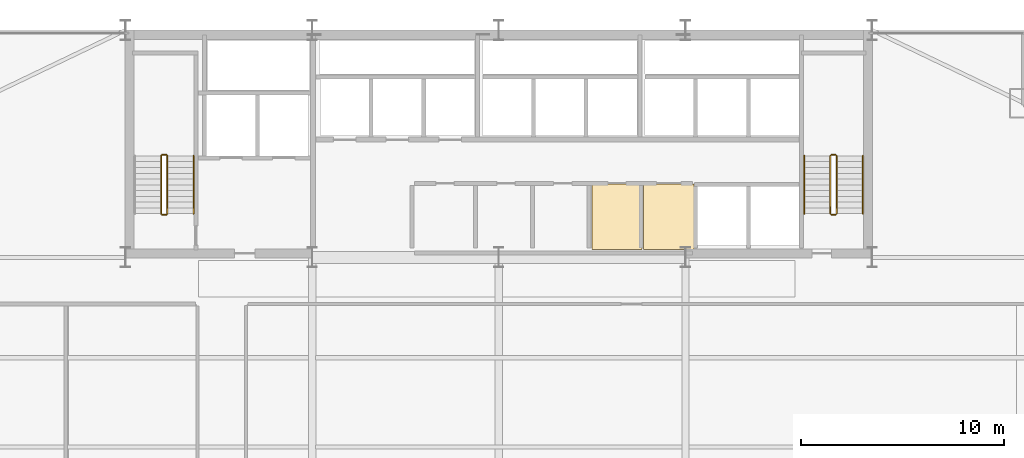
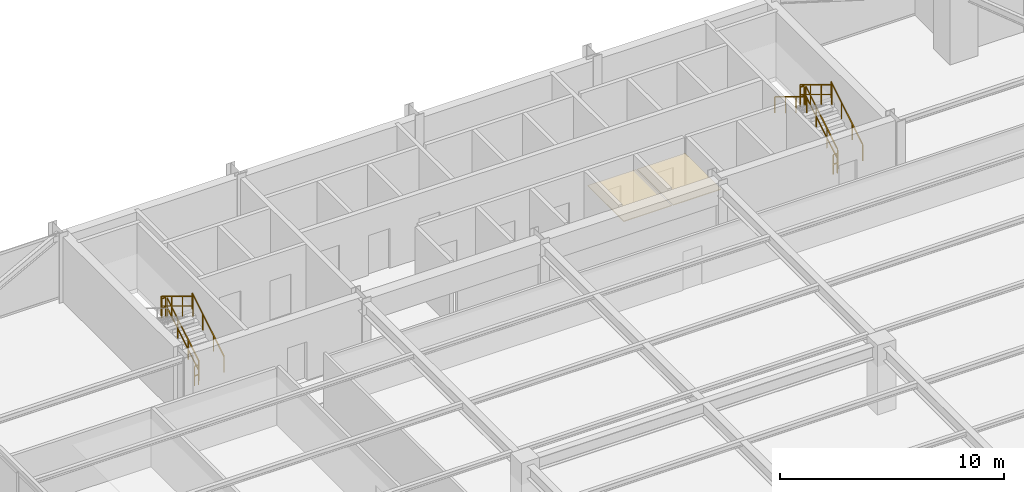
# One storey, part 32 of 32: 11 railings, 2 coverings.
"""IFC4 building model written with IfcOpenShell, lengths in metres."""

from ifc_helpers import new_model, si_unit, direction, frame, origin, origin_2d, place, context, subcontext, project, spatial, polyline, rectangle, outline, extrude, material, layer, layer_set, type_object, element, save


model = new_model("IFC4")

# Units and contexts
model_context = context("Model", 3, precision=1e-05, world=origin(), true_north=direction((0.0, 1.0)))
body_context = subcontext(model_context, "Body", "Model", "MODEL_VIEW")
ifc_project = project(units=[si_unit("LENGTHUNIT", "METRE"), si_unit("AREAUNIT", "SQUARE_METRE"), si_unit("VOLUMEUNIT", "CUBIC_METRE"), si_unit("PLANEANGLEUNIT", "RADIAN"), si_unit("MASSUNIT", "GRAM", prefix="KILO")], contexts=[model_context])

# Site, building, storey
site_placement = place(None, origin())
site = spatial("IfcSite", under=ifc_project, at=site_placement, CompositionType="ELEMENT")
building_placement = place(site_placement, origin())
building = spatial("IfcBuilding", under=site, at=building_placement, Name="Varnel Quay Broadcast Tower", CompositionType="ELEMENT")
storey_placement = place(building_placement, frame((0.0, 0.0, 90.800048828125)))
storey = spatial("IfcBuildingStorey", under=building, at=storey_placement, Name="L21", CompositionType="ELEMENT", Elevation=90.800048828125)

# Coverings
ifc_material_1 = material(Name="Micro-Perforated Acoustic Ceiling Tile")
ifc_layer = layer(ifc_material_1, 0.0400390625, Name="Micro-Perforated Acoustic Ceiling Tile")
ifc_layer_set = layer_set([ifc_layer], Name="Micro-Perforated Acoustic Ceiling Tile")
covering_type = type_object("IfcCoveringType", Name="Cov_AcousticCeiling", PredefinedType="CEILING", material=ifc_layer_set)
covering_1_placement = place(storey_placement, frame((0.0, 0.0, 2.579833984375)))
element("IfcCovering", 1, at=covering_1_placement, inside=storey, type_object=covering_type, Name="L21 Cleaners' & Linen Store Acoustic Ceiling", PredefinedType="CEILING", context=body_context, shape_type="SweptSolid", body=[
    extrude(outline(polyline([(38.5849609375, 35.985107421875), (41.06494140625, 35.985107421875), (41.06494140625, 39.215087890625), (38.5849609375, 39.215087890625), (38.5849609375, 35.985107421875)])), origin(), (0.0, 0.0, 1.0), 0.0400390625),
])
covering_2_placement = place(storey_placement, frame((0.0, 0.0, 2.579833984375)))
element("IfcCovering", 2, at=covering_2_placement, inside=storey, type_object=covering_type, Name="L21 Telecom IDF Closet Acoustic Ceiling", PredefinedType="CEILING", context=body_context, shape_type="SweptSolid", body=[
    extrude(outline(polyline([(41.135009765625, 35.985107421875), (43.614990234375, 35.985107421875), (43.614990234375, 39.215087890625), (41.135009765625, 39.215087890625), (41.135009765625, 35.985107421875)])), origin(), (0.0, 0.0, 1.0), 0.0400390625),
])

# Railings
ifc_material_2 = material(Name="Painted Steel Guard and Handrail CSA G40.21 350W", Category="steel")
railing_type_1 = type_object("IfcRailingType", Name="Rail_StairGuard1100", PredefinedType="GUARDRAIL", material=ifc_material_2)
railing_1_placement = place(storey_placement, frame((17.64990234375, 37.75, 0.172607421875)))
element("IfcRailing", 3, at=railing_1_placement, inside=storey, type_object=railing_type_1, Name="L21 ST-01 stair guard 1", PredefinedType="GUARDRAIL", context=body_context, shape_type="SweptSolid", body=[
    extrude(rectangle(XDim=0.048095703125, YDim=0.048095703125, at=origin_2d()), frame((0.0, 0.0, 1.076171875), z_axis=(0.0, 0.855202751398, 0.518293598264), x_axis=(-1.0, 0.0, 0.0)), (0.0, 0.0, 1.0), 3.332763671875),
    extrude(rectangle(XDim=0.048095703125, YDim=0.048095703125, at=origin_2d()), frame((0.0, 0.0, 0.550048828125), z_axis=(0.0, 0.855202751398, 0.518293598264), x_axis=(-1.0, 0.0, 0.0)), (0.0, 0.0, 1.0), 3.332763671875),
    extrude(rectangle(XDim=0.0419921875, YDim=0.0419921875, at=origin_2d()), origin(), (0.0, 0.0, 1.0), 1.052001953125),
    extrude(rectangle(XDim=0.0419921875, YDim=0.0419921875, at=origin_2d()), frame((0.0, 0.949951171875, 0.57568359375)), (0.0, 0.0, 1.0), 1.052001953125),
    extrude(rectangle(XDim=0.0419921875, YDim=0.0419921875, at=origin_2d()), frame((0.0, 1.900146484375, 1.151611328125)), (0.0, 0.0, 1.0), 1.052001953125),
    extrude(rectangle(XDim=0.0419921875, YDim=0.0419921875, at=origin_2d()), frame((0.0, 2.85009765625, 1.727294921875)), (0.0, 0.0, 1.0), 1.052001953125),
])
railing_2_placement = place(storey_placement, frame((17.60009765625, 40.64990234375, 1.89990234375)))
element("IfcRailing", 4, at=railing_2_placement, inside=storey, type_object=railing_type_1, Name="L21 ST-01 stair guard 2", PredefinedType="GUARDRAIL", context=body_context, shape_type="SweptSolid", body=[
    extrude(rectangle(XDim=0.048095703125, YDim=0.048095703125, at=origin_2d()), frame((0.0, 0.0, 1.076171875), z_axis=(-1.0, 0.0, 0.0), x_axis=(0.0, -1.0, 0.0)), (0.0, 0.0, 1.0), 0.2001953125),
    extrude(rectangle(XDim=0.048095703125, YDim=0.048095703125, at=origin_2d()), frame((0.0, 0.0, 0.550048828125), z_axis=(-1.0, 0.0, 0.0), x_axis=(0.0, -1.0, 0.0)), (0.0, 0.0, 1.0), 0.2001953125),
    extrude(rectangle(XDim=0.0419921875, YDim=0.0419921875, at=origin_2d()), origin(), (0.0, 0.0, 1.0), 1.052001953125),
    extrude(rectangle(XDim=0.0419921875, YDim=0.0419921875, at=origin_2d()), frame((-0.2001953125, 0.0, 0.0)), (0.0, 0.0, 1.0), 1.052001953125),
])
railing_3_placement = place(storey_placement, frame((17.35009765625, 40.60009765625, 2.07275390625)))
element("IfcRailing", 5, at=railing_3_placement, inside=storey, type_object=railing_type_1, Name="L21 ST-01 stair guard 3", PredefinedType="GUARDRAIL", context=body_context, shape_type="SweptSolid", body=[
    extrude(rectangle(XDim=0.048095703125, YDim=0.048095703125, at=origin_2d()), frame((0.0, 0.0, 1.076171875), z_axis=(0.0, -0.855202751398, 0.518293598264), x_axis=(1.0, 0.0, 0.0)), (0.0, 0.0, 1.0), 3.332763671875),
    extrude(rectangle(XDim=0.048095703125, YDim=0.048095703125, at=origin_2d()), frame((0.0, 0.0, 0.550048828125), z_axis=(0.0, -0.855202751398, 0.518293598264), x_axis=(1.0, 0.0, 0.0)), (0.0, 0.0, 1.0), 3.332763671875),
    extrude(rectangle(XDim=0.0419921875, YDim=0.0419921875, at=origin_2d()), origin(), (0.0, 0.0, 1.0), 1.052001953125),
    extrude(rectangle(XDim=0.0419921875, YDim=0.0419921875, at=origin_2d()), frame((0.0, -0.949951171875, 0.57568359375)), (0.0, 0.0, 1.0), 1.052001953125),
    extrude(rectangle(XDim=0.0419921875, YDim=0.0419921875, at=origin_2d()), frame((0.0, -1.900146484375, 1.151611328125)), (0.0, 0.0, 1.0), 1.052001953125),
    extrude(rectangle(XDim=0.0419921875, YDim=0.0419921875, at=origin_2d()), frame((0.0, -2.85009765625, 1.727294921875)), (0.0, 0.0, 1.0), 1.052001953125),
])
railing_4_placement = place(storey_placement, frame((17.60009765625, 37.699951171875, 0.0)))
element("IfcRailing", 6, at=railing_4_placement, inside=storey, type_object=railing_type_1, Name="L21 ST-01 stair guard 4", PredefinedType="GUARDRAIL", context=body_context, shape_type="SweptSolid", body=[
    extrude(rectangle(XDim=0.048095703125, YDim=0.048095703125, at=origin_2d()), frame((0.0, 0.0, 1.076171875), z_axis=(-1.0, 0.0, 0.0), x_axis=(0.0, -1.0, 0.0)), (0.0, 0.0, 1.0), 0.2001953125),
    extrude(rectangle(XDim=0.048095703125, YDim=0.048095703125, at=origin_2d()), frame((0.0, 0.0, 0.550048828125), z_axis=(-1.0, 0.0, 0.0), x_axis=(0.0, -1.0, 0.0)), (0.0, 0.0, 1.0), 0.2001953125),
    extrude(rectangle(XDim=0.0419921875, YDim=0.0419921875, at=origin_2d()), origin(), (0.0, 0.0, 1.0), 1.052001953125),
    extrude(rectangle(XDim=0.0419921875, YDim=0.0419921875, at=origin_2d()), frame((-0.2001953125, 0.0, 0.0)), (0.0, 0.0, 1.0), 1.052001953125),
])
railing_5_placement = place(storey_placement, frame((50.64990234375, 37.75, 0.172607421875)))
element("IfcRailing", 7, at=railing_5_placement, inside=storey, type_object=railing_type_1, Name="L21 ST-02 stair guard 1", PredefinedType="GUARDRAIL", context=body_context, shape_type="SweptSolid", body=[
    extrude(rectangle(XDim=0.048095703125, YDim=0.048095703125, at=origin_2d()), frame((0.0, 0.0, 1.076171875), z_axis=(0.0, 0.855202751398, 0.518293598264), x_axis=(-1.0, 0.0, 0.0)), (0.0, 0.0, 1.0), 3.332763671875),
    extrude(rectangle(XDim=0.048095703125, YDim=0.048095703125, at=origin_2d()), frame((0.0, 0.0, 0.550048828125), z_axis=(0.0, 0.855202751398, 0.518293598264), x_axis=(-1.0, 0.0, 0.0)), (0.0, 0.0, 1.0), 3.332763671875),
    extrude(rectangle(XDim=0.0419921875, YDim=0.0419921875, at=origin_2d()), origin(), (0.0, 0.0, 1.0), 1.052001953125),
    extrude(rectangle(XDim=0.0419921875, YDim=0.0419921875, at=origin_2d()), frame((0.0, 0.949951171875, 0.57568359375)), (0.0, 0.0, 1.0), 1.052001953125),
    extrude(rectangle(XDim=0.0419921875, YDim=0.0419921875, at=origin_2d()), frame((0.0, 1.900146484375, 1.151611328125)), (0.0, 0.0, 1.0), 1.052001953125),
    extrude(rectangle(XDim=0.0419921875, YDim=0.0419921875, at=origin_2d()), frame((0.0, 2.85009765625, 1.727294921875)), (0.0, 0.0, 1.0), 1.052001953125),
])
railing_6_placement = place(storey_placement, frame((50.60009765625, 40.64990234375, 1.89990234375)))
element("IfcRailing", 8, at=railing_6_placement, inside=storey, type_object=railing_type_1, Name="L21 ST-02 stair guard 2", PredefinedType="GUARDRAIL", context=body_context, shape_type="SweptSolid", body=[
    extrude(rectangle(XDim=0.048095703125, YDim=0.048095703125, at=origin_2d()), frame((0.0, 0.0, 1.076171875), z_axis=(-1.0, 0.0, 0.0), x_axis=(0.0, -1.0, 0.0)), (0.0, 0.0, 1.0), 0.2001953125),
    extrude(rectangle(XDim=0.048095703125, YDim=0.048095703125, at=origin_2d()), frame((0.0, 0.0, 0.550048828125), z_axis=(-1.0, 0.0, 0.0), x_axis=(0.0, -1.0, 0.0)), (0.0, 0.0, 1.0), 0.2001953125),
    extrude(rectangle(XDim=0.0419921875, YDim=0.0419921875, at=origin_2d()), origin(), (0.0, 0.0, 1.0), 1.052001953125),
    extrude(rectangle(XDim=0.0419921875, YDim=0.0419921875, at=origin_2d()), frame((-0.2001953125, 0.0, 0.0)), (0.0, 0.0, 1.0), 1.052001953125),
])
railing_7_placement = place(storey_placement, frame((50.35009765625, 40.60009765625, 2.07275390625)))
element("IfcRailing", 9, at=railing_7_placement, inside=storey, type_object=railing_type_1, Name="L21 ST-02 stair guard 3", PredefinedType="GUARDRAIL", context=body_context, shape_type="SweptSolid", body=[
    extrude(rectangle(XDim=0.048095703125, YDim=0.048095703125, at=origin_2d()), frame((0.0, 0.0, 1.076171875), z_axis=(0.0, -0.855202751398, 0.518293598264), x_axis=(1.0, 0.0, 0.0)), (0.0, 0.0, 1.0), 3.332763671875),
    extrude(rectangle(XDim=0.048095703125, YDim=0.048095703125, at=origin_2d()), frame((0.0, 0.0, 0.550048828125), z_axis=(0.0, -0.855202751398, 0.518293598264), x_axis=(1.0, 0.0, 0.0)), (0.0, 0.0, 1.0), 3.332763671875),
    extrude(rectangle(XDim=0.0419921875, YDim=0.0419921875, at=origin_2d()), origin(), (0.0, 0.0, 1.0), 1.052001953125),
    extrude(rectangle(XDim=0.0419921875, YDim=0.0419921875, at=origin_2d()), frame((0.0, -0.949951171875, 0.57568359375)), (0.0, 0.0, 1.0), 1.052001953125),
    extrude(rectangle(XDim=0.0419921875, YDim=0.0419921875, at=origin_2d()), frame((0.0, -1.900146484375, 1.151611328125)), (0.0, 0.0, 1.0), 1.052001953125),
    extrude(rectangle(XDim=0.0419921875, YDim=0.0419921875, at=origin_2d()), frame((0.0, -2.85009765625, 1.727294921875)), (0.0, 0.0, 1.0), 1.052001953125),
])
railing_8_placement = place(storey_placement, frame((50.60009765625, 37.699951171875, 0.0)))
element("IfcRailing", 10, at=railing_8_placement, inside=storey, type_object=railing_type_1, Name="L21 ST-02 stair guard 4", PredefinedType="GUARDRAIL", context=body_context, shape_type="SweptSolid", body=[
    extrude(rectangle(XDim=0.048095703125, YDim=0.048095703125, at=origin_2d()), frame((0.0, 0.0, 1.076171875), z_axis=(-1.0, 0.0, 0.0), x_axis=(0.0, -1.0, 0.0)), (0.0, 0.0, 1.0), 0.2001953125),
    extrude(rectangle(XDim=0.048095703125, YDim=0.048095703125, at=origin_2d()), frame((0.0, 0.0, 0.550048828125), z_axis=(-1.0, 0.0, 0.0), x_axis=(0.0, -1.0, 0.0)), (0.0, 0.0, 1.0), 0.2001953125),
    extrude(rectangle(XDim=0.0419921875, YDim=0.0419921875, at=origin_2d()), origin(), (0.0, 0.0, 1.0), 1.052001953125),
    extrude(rectangle(XDim=0.0419921875, YDim=0.0419921875, at=origin_2d()), frame((-0.2001953125, 0.0, 0.0)), (0.0, 0.0, 1.0), 1.052001953125),
])
railing_type_2 = type_object("IfcRailingType", Name="Rail_StairHandrail900", PredefinedType="HANDRAIL", material=ifc_material_2)
for number, where, name in (
    (11, (18.949951171875, 37.75, 0.172607421875), "L21 ST-01 stair handrail 1"),
    (12, (51.949951171875, 37.75, 0.172607421875), "L21 ST-02 stair handrail 1"),
):
    element("IfcRailing", number, at=place(storey_placement, frame(where)), inside=storey, type_object=railing_type_2, Name=name, PredefinedType="HANDRAIL", context=body_context, shape_type="SweptSolid", body=[
        extrude(rectangle(XDim=0.048095703125, YDim=0.048095703125, at=origin_2d()), frame((0.0, 0.0, 0.8759765625), z_axis=(0.0, 0.855202751398, 0.518293598264), x_axis=(-1.0, 0.0, 0.0)), (0.0, 0.0, 1.0), 3.332763671875),
        extrude(rectangle(XDim=0.0419921875, YDim=0.0419921875, at=origin_2d()), origin(), (0.0, 0.0, 1.0), 0.851806640625),
        extrude(rectangle(XDim=0.0419921875, YDim=0.0419921875, at=origin_2d()), frame((0.0, 0.949951171875, 0.57568359375)), (0.0, 0.0, 1.0), 0.851806640625),
        extrude(rectangle(XDim=0.0419921875, YDim=0.0419921875, at=origin_2d()), frame((0.0, 1.900146484375, 1.151611328125)), (0.0, 0.0, 1.0), 0.851806640625),
        extrude(rectangle(XDim=0.0419921875, YDim=0.0419921875, at=origin_2d()), frame((0.0, 2.85009765625, 1.727294921875)), (0.0, 0.0, 1.0), 0.851806640625),
    ])
railing_9_placement = place(storey_placement, frame((49.050048828125, 40.60009765625, 2.07275390625)))
element("IfcRailing", 13, at=railing_9_placement, inside=storey, type_object=railing_type_2, Name="L21 ST-02 stair handrail 2", PredefinedType="HANDRAIL", context=body_context, shape_type="SweptSolid", body=[
    extrude(rectangle(XDim=0.048095703125, YDim=0.048095703125, at=origin_2d()), frame((0.0, 0.0, 0.8759765625), z_axis=(0.0, -0.855202751398, 0.518293598264), x_axis=(1.0, 0.0, 0.0)), (0.0, 0.0, 1.0), 3.332763671875),
    extrude(rectangle(XDim=0.0419921875, YDim=0.0419921875, at=origin_2d()), origin(), (0.0, 0.0, 1.0), 0.851806640625),
    extrude(rectangle(XDim=0.0419921875, YDim=0.0419921875, at=origin_2d()), frame((0.0, -0.949951171875, 0.57568359375)), (0.0, 0.0, 1.0), 0.851806640625),
    extrude(rectangle(XDim=0.0419921875, YDim=0.0419921875, at=origin_2d()), frame((0.0, -1.900146484375, 1.151611328125)), (0.0, 0.0, 1.0), 0.851806640625),
    extrude(rectangle(XDim=0.0419921875, YDim=0.0419921875, at=origin_2d()), frame((0.0, -2.85009765625, 1.727294921875)), (0.0, 0.0, 1.0), 0.851806640625),
])

save(model, "model.ifc")
